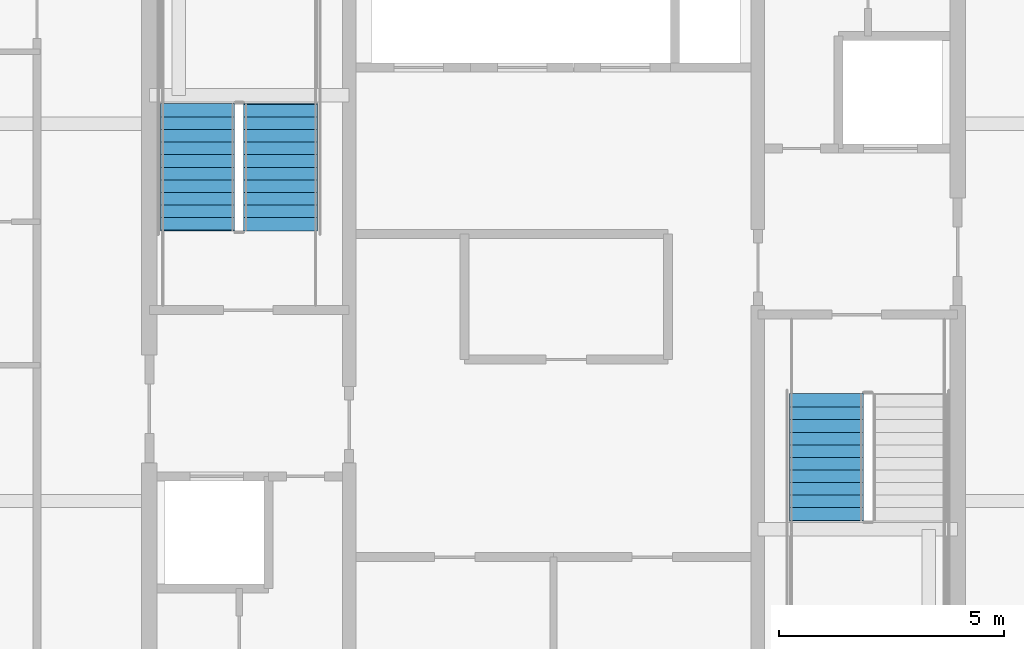
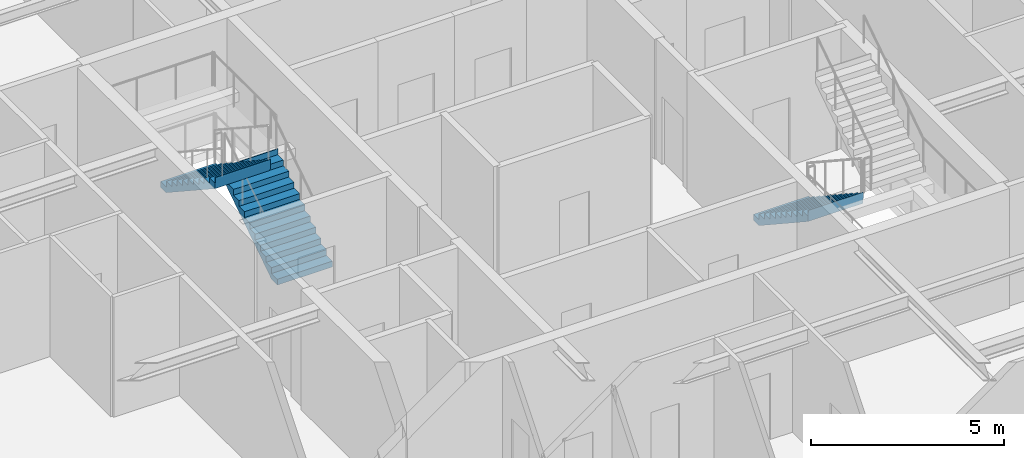
# One storey, part 31 of 37: 3 stair flights, 2 elements without a shape of their own.
"""IFC4 building model written with IfcOpenShell, lengths in metres."""

from ifc_helpers import new_model, si_unit, direction, frame, origin, place, context, subcontext, project, spatial, polygons, material, type_object, element, aggregate, save


model = new_model("IFC4")

# Units and contexts
model_context = context("Model", 3, precision=1e-05, world=origin(), true_north=direction((0.0, 1.0)))
body_context = subcontext(model_context, "Body", "Model", "MODEL_VIEW")
ifc_project = project(units=[si_unit("LENGTHUNIT", "METRE"), si_unit("AREAUNIT", "SQUARE_METRE"), si_unit("VOLUMEUNIT", "CUBIC_METRE"), si_unit("PLANEANGLEUNIT", "RADIAN"), si_unit("MASSUNIT", "GRAM", prefix="KILO")], contexts=[model_context])

# Site, building, storey
site_placement = place(None, origin())
site = spatial("IfcSite", under=ifc_project, at=site_placement, CompositionType="ELEMENT")
building_placement = place(site_placement, origin())
building = spatial("IfcBuilding", under=site, at=building_placement, Name="Serunith Strait Residences", CompositionType="ELEMENT")
storey_placement = place(building_placement, frame((0.0, 0.0, 317.75)))
storey = spatial("IfcBuildingStorey", under=building, at=storey_placement, Name="L79", CompositionType="ELEMENT", Elevation=317.75)

# Stair, stair flights
ifc_material = material(Name="Concrete C50/60", Category="concrete")
stair_type_1 = type_object("IfcStairType", Name="STR-CORE-1", PredefinedType="HALF_TURN_STAIR", material=ifc_material)
stair_1_placement = place(storey_placement, origin())
stair_1 = element("IfcStair", 1, at=stair_1_placement, inside=storey, type_object=stair_type_1, Name="L79 Protected Escape Stair ST-1", PredefinedType="HALF_TURN_STAIR")
stair_flight_type_1 = type_object("IfcStairFlightType", Name="FLT-CORE-1", PredefinedType="STRAIGHT", material=ifc_material)
stair_flight_1_placement = place(storey_placement, frame((26.324951171875, 27.030029296875, 0.0), z_axis=(0.0, 0.0, 1.0), x_axis=(0.0, 1.0, 0.0)))
stair_flight_1 = element("IfcStairFlight", 2, at=stair_flight_1_placement, type_object=stair_flight_type_1, Name="ST-1 flight 1", NumberOfRisers=11, NumberOfTreads=10, PredefinedType="STRAIGHT", RiserHeight=0.184090909, TreadLength=0.28, context=body_context, shape_type="Tessellation", body=[
    polygons([(-0.02001953125, -0.824951171875, 0.0), (-0.02001953125, -0.824951171875, 0.18408203125), (0.280029296875, -0.824951171875, 0.18408203125), (0.280029296875, -0.824951171875, 0.3681640625), (0.56005859375, -0.824951171875, 0.3681640625), (0.56005859375, -0.824951171875, 0.55224609375), (0.840087890625, -0.824951171875, 0.55224609375), (0.840087890625, -0.824951171875, 0.736328125), (1.1201171875, -0.824951171875, 0.736328125), (1.1201171875, -0.824951171875, 0.92041015625), (1.39990234375, -0.824951171875, 0.92041015625), (1.39990234375, -0.824951171875, 1.1044921875), (1.679931640625, -0.824951171875, 1.1044921875), (1.679931640625, -0.824951171875, 1.28857421875), (1.9599609375, -0.824951171875, 1.28857421875), (1.9599609375, -0.824951171875, 1.47265625), (2.239990234375, -0.824951171875, 1.47265625), (2.239990234375, -0.824951171875, 1.65673828125), (2.52001953125, -0.824951171875, 1.65673828125), (2.52001953125, -0.824951171875, 1.8408203125), (2.800048828125, -0.824951171875, 1.8408203125), (2.800048828125, -0.824951171875, 2.02490234375), (2.820068359375, -0.824951171875, 2.02490234375), (2.820068359375, -0.824951171875, 1.965087890625), (2.800048828125, -0.824951171875, 1.66162109375), (0.27294921875, -0.824951171875, 0.0), (-0.02001953125, -0.41259765625, 0.0), (-0.02001953125, -0.41259765625, 0.18408203125), (0.280029296875, -0.41259765625, 0.18408203125), (0.280029296875, -0.41259765625, 0.3681640625), (0.56005859375, -0.41259765625, 0.3681640625), (0.56005859375, -0.41259765625, 0.55224609375), (0.840087890625, -0.41259765625, 0.55224609375), (0.840087890625, -0.41259765625, 0.736328125), (1.1201171875, -0.41259765625, 0.736328125), (1.1201171875, -0.41259765625, 0.92041015625), (1.39990234375, -0.41259765625, 0.92041015625), (1.39990234375, -0.41259765625, 1.1044921875), (1.679931640625, -0.41259765625, 1.1044921875), (1.679931640625, -0.41259765625, 1.28857421875), (1.9599609375, -0.41259765625, 1.28857421875), (1.9599609375, -0.41259765625, 1.47265625), (2.239990234375, -0.41259765625, 1.47265625), (2.239990234375, -0.41259765625, 1.65673828125), (2.52001953125, -0.41259765625, 1.65673828125), (2.52001953125, -0.41259765625, 1.8408203125), (2.800048828125, -0.41259765625, 1.8408203125), (2.800048828125, -0.41259765625, 2.02490234375), (2.820068359375, -0.41259765625, 2.02490234375), (2.820068359375, -0.41259765625, 1.965087890625), (2.800048828125, -0.41259765625, 1.66162109375), (0.27294921875, -0.41259765625, 0.0), (-0.02001953125, 0.0, 0.0), (-0.02001953125, 0.0, 0.18408203125), (0.280029296875, 0.0, 0.18408203125), (0.280029296875, 0.0, 0.3681640625), (0.56005859375, 0.0, 0.3681640625), (0.56005859375, 0.0, 0.55224609375), (0.840087890625, 0.0, 0.55224609375), (0.840087890625, 0.0, 0.736328125), (1.1201171875, 0.0, 0.736328125), (1.1201171875, 0.0, 0.92041015625), (1.39990234375, 0.0, 0.92041015625), (1.39990234375, 0.0, 1.1044921875), (1.679931640625, 0.0, 1.1044921875), (1.679931640625, 0.0, 1.28857421875), (1.9599609375, 0.0, 1.28857421875), (1.9599609375, 0.0, 1.47265625), (2.239990234375, 0.0, 1.47265625), (2.239990234375, 0.0, 1.65673828125), (2.52001953125, 0.0, 1.65673828125), (2.52001953125, 0.0, 1.8408203125), (2.800048828125, 0.0, 1.8408203125), (2.800048828125, 0.0, 2.02490234375), (2.820068359375, 0.0, 2.02490234375), (2.820068359375, 0.0, 1.965087890625), (2.800048828125, 0.0, 1.66162109375), (0.27294921875, 0.0, 0.0), (-0.02001953125, 0.41259765625, 0.0), (-0.02001953125, 0.41259765625, 0.18408203125), (0.280029296875, 0.41259765625, 0.18408203125), (0.280029296875, 0.41259765625, 0.3681640625), (0.56005859375, 0.41259765625, 0.3681640625), (0.56005859375, 0.41259765625, 0.55224609375), (0.840087890625, 0.41259765625, 0.55224609375), (0.840087890625, 0.41259765625, 0.736328125), (1.1201171875, 0.41259765625, 0.736328125), (1.1201171875, 0.41259765625, 0.92041015625), (1.39990234375, 0.41259765625, 0.92041015625), (1.39990234375, 0.41259765625, 1.1044921875), (1.679931640625, 0.41259765625, 1.1044921875), (1.679931640625, 0.41259765625, 1.28857421875), (1.9599609375, 0.41259765625, 1.28857421875), (1.9599609375, 0.41259765625, 1.47265625), (2.239990234375, 0.41259765625, 1.47265625), (2.239990234375, 0.41259765625, 1.65673828125), (2.52001953125, 0.41259765625, 1.65673828125), (2.52001953125, 0.41259765625, 1.8408203125), (2.800048828125, 0.41259765625, 1.8408203125), (2.800048828125, 0.41259765625, 2.02490234375), (2.820068359375, 0.41259765625, 2.02490234375), (2.820068359375, 0.41259765625, 1.965087890625), (2.800048828125, 0.41259765625, 1.66162109375), (0.27294921875, 0.41259765625, 0.0), (-0.02001953125, 0.824951171875, 0.0), (-0.02001953125, 0.824951171875, 0.18408203125), (0.280029296875, 0.824951171875, 0.18408203125), (0.280029296875, 0.824951171875, 0.3681640625), (0.56005859375, 0.824951171875, 0.3681640625), (0.56005859375, 0.824951171875, 0.55224609375), (0.840087890625, 0.824951171875, 0.55224609375), (0.840087890625, 0.824951171875, 0.736328125), (1.1201171875, 0.824951171875, 0.736328125), (1.1201171875, 0.824951171875, 0.92041015625), (1.39990234375, 0.824951171875, 0.92041015625), (1.39990234375, 0.824951171875, 1.1044921875), (1.679931640625, 0.824951171875, 1.1044921875), (1.679931640625, 0.824951171875, 1.28857421875), (1.9599609375, 0.824951171875, 1.28857421875), (1.9599609375, 0.824951171875, 1.47265625), (2.239990234375, 0.824951171875, 1.47265625), (2.239990234375, 0.824951171875, 1.65673828125), (2.52001953125, 0.824951171875, 1.65673828125), (2.52001953125, 0.824951171875, 1.8408203125), (2.800048828125, 0.824951171875, 1.8408203125), (2.800048828125, 0.824951171875, 2.02490234375), (2.820068359375, 0.824951171875, 2.02490234375), (2.820068359375, 0.824951171875, 1.965087890625), (2.800048828125, 0.824951171875, 1.66162109375), (0.27294921875, 0.824951171875, 0.0)], [[[1, 2, 28, 27]], [[2, 3, 29, 28]], [[3, 4, 30, 29]], [[4, 5, 31, 30]], [[5, 6, 32, 31]], [[6, 7, 33, 32]], [[7, 8, 34, 33]], [[8, 9, 35, 34]], [[9, 10, 36, 35]], [[10, 11, 37, 36]], [[11, 12, 38, 37]], [[12, 13, 39, 38]], [[13, 14, 40, 39]], [[14, 15, 41, 40]], [[15, 16, 42, 41]], [[16, 17, 43, 42]], [[17, 18, 44, 43]], [[18, 19, 45, 44]], [[19, 20, 46, 45]], [[20, 21, 47, 46]], [[21, 22, 48, 47]], [[22, 23, 49, 48]], [[23, 24, 50, 49]], [[24, 25, 51, 50]], [[25, 26, 52, 51]], [[26, 1, 27, 52]], [[27, 28, 54, 53]], [[28, 29, 55, 54]], [[29, 30, 56, 55]], [[30, 31, 57, 56]], [[31, 32, 58, 57]], [[32, 33, 59, 58]], [[33, 34, 60, 59]], [[34, 35, 61, 60]], [[35, 36, 62, 61]], [[36, 37, 63, 62]], [[37, 38, 64, 63]], [[38, 39, 65, 64]], [[39, 40, 66, 65]], [[40, 41, 67, 66]], [[41, 42, 68, 67]], [[42, 43, 69, 68]], [[43, 44, 70, 69]], [[44, 45, 71, 70]], [[45, 46, 72, 71]], [[46, 47, 73, 72]], [[47, 48, 74, 73]], [[48, 49, 75, 74]], [[49, 50, 76, 75]], [[50, 51, 77, 76]], [[51, 52, 78, 77]], [[52, 27, 53, 78]], [[53, 54, 80, 79]], [[54, 55, 81, 80]], [[55, 56, 82, 81]], [[56, 57, 83, 82]], [[57, 58, 84, 83]], [[58, 59, 85, 84]], [[59, 60, 86, 85]], [[60, 61, 87, 86]], [[61, 62, 88, 87]], [[62, 63, 89, 88]], [[63, 64, 90, 89]], [[64, 65, 91, 90]], [[65, 66, 92, 91]], [[66, 67, 93, 92]], [[67, 68, 94, 93]], [[68, 69, 95, 94]], [[69, 70, 96, 95]], [[70, 71, 97, 96]], [[71, 72, 98, 97]], [[72, 73, 99, 98]], [[73, 74, 100, 99]], [[74, 75, 101, 100]], [[75, 76, 102, 101]], [[76, 77, 103, 102]], [[77, 78, 104, 103]], [[78, 53, 79, 104]], [[79, 80, 106, 105]], [[80, 81, 107, 106]], [[81, 82, 108, 107]], [[82, 83, 109, 108]], [[83, 84, 110, 109]], [[84, 85, 111, 110]], [[85, 86, 112, 111]], [[86, 87, 113, 112]], [[87, 88, 114, 113]], [[88, 89, 115, 114]], [[89, 90, 116, 115]], [[90, 91, 117, 116]], [[91, 92, 118, 117]], [[92, 93, 119, 118]], [[93, 94, 120, 119]], [[94, 95, 121, 120]], [[95, 96, 122, 121]], [[96, 97, 123, 122]], [[97, 98, 124, 123]], [[98, 99, 125, 124]], [[99, 100, 126, 125]], [[100, 101, 127, 126]], [[101, 102, 128, 127]], [[102, 103, 129, 128]], [[103, 104, 130, 129]], [[104, 79, 105, 130]], [[26, 25, 24, 23, 22, 21, 20, 19, 18, 17, 16, 15, 14, 13, 12, 11, 10, 9, 8, 7, 6, 5, 4, 3, 2, 1]], [[105, 106, 107, 108, 109, 110, 111, 112, 113, 114, 115, 116, 117, 118, 119, 120, 121, 122, 123, 124, 125, 126, 127, 128, 129, 130]]], closed=True),
])
stair_flight_2_placement = place(storey_placement, frame((24.47509765625, 29.830078125, 2.02490234375), z_axis=(0.0, 0.0, 1.0), x_axis=(0.0, -1.0, 0.0)))
stair_flight_2 = element("IfcStairFlight", 3, at=stair_flight_2_placement, type_object=stair_flight_type_1, Name="ST-1 flight 2", NumberOfRisers=11, NumberOfTreads=10, PredefinedType="STRAIGHT", RiserHeight=0.184090909, TreadLength=0.28, context=body_context, shape_type="Tessellation", body=[
    polygons([(-0.02001953125, -0.824951171875, 0.0), (-0.02001953125, -0.824951171875, 0.18408203125), (0.280029296875, -0.824951171875, 0.18408203125), (0.280029296875, -0.824951171875, 0.3681640625), (0.56005859375, -0.824951171875, 0.3681640625), (0.56005859375, -0.824951171875, 0.55224609375), (0.840087890625, -0.824951171875, 0.55224609375), (0.840087890625, -0.824951171875, 0.736328125), (1.1201171875, -0.824951171875, 0.736328125), (1.1201171875, -0.824951171875, 0.92041015625), (1.39990234375, -0.824951171875, 0.92041015625), (1.39990234375, -0.824951171875, 1.1044921875), (1.679931640625, -0.824951171875, 1.1044921875), (1.679931640625, -0.824951171875, 1.28857421875), (1.9599609375, -0.824951171875, 1.28857421875), (1.9599609375, -0.824951171875, 1.47265625), (2.239990234375, -0.824951171875, 1.47265625), (2.239990234375, -0.824951171875, 1.65673828125), (2.52001953125, -0.824951171875, 1.65673828125), (2.52001953125, -0.824951171875, 1.8408203125), (2.800048828125, -0.824951171875, 1.8408203125), (2.800048828125, -0.824951171875, 2.02490234375), (2.820068359375, -0.824951171875, 2.02490234375), (2.820068359375, -0.824951171875, 1.965087890625), (2.800048828125, -0.824951171875, 1.66162109375), (0.27294921875, -0.824951171875, 0.0), (-0.02001953125, -0.41259765625, 0.0), (-0.02001953125, -0.41259765625, 0.18408203125), (0.280029296875, -0.41259765625, 0.18408203125), (0.280029296875, -0.41259765625, 0.3681640625), (0.56005859375, -0.41259765625, 0.3681640625), (0.56005859375, -0.41259765625, 0.55224609375), (0.840087890625, -0.41259765625, 0.55224609375), (0.840087890625, -0.41259765625, 0.736328125), (1.1201171875, -0.41259765625, 0.736328125), (1.1201171875, -0.41259765625, 0.92041015625), (1.39990234375, -0.41259765625, 0.92041015625), (1.39990234375, -0.41259765625, 1.1044921875), (1.679931640625, -0.41259765625, 1.1044921875), (1.679931640625, -0.41259765625, 1.28857421875), (1.9599609375, -0.41259765625, 1.28857421875), (1.9599609375, -0.41259765625, 1.47265625), (2.239990234375, -0.41259765625, 1.47265625), (2.239990234375, -0.41259765625, 1.65673828125), (2.52001953125, -0.41259765625, 1.65673828125), (2.52001953125, -0.41259765625, 1.8408203125), (2.800048828125, -0.41259765625, 1.8408203125), (2.800048828125, -0.41259765625, 2.02490234375), (2.820068359375, -0.41259765625, 2.02490234375), (2.820068359375, -0.41259765625, 1.965087890625), (2.800048828125, -0.41259765625, 1.66162109375), (0.27294921875, -0.41259765625, 0.0), (-0.02001953125, 0.0, 0.0), (-0.02001953125, 0.0, 0.18408203125), (0.280029296875, 0.0, 0.18408203125), (0.280029296875, 0.0, 0.3681640625), (0.56005859375, 0.0, 0.3681640625), (0.56005859375, 0.0, 0.55224609375), (0.840087890625, 0.0, 0.55224609375), (0.840087890625, 0.0, 0.736328125), (1.1201171875, 0.0, 0.736328125), (1.1201171875, 0.0, 0.92041015625), (1.39990234375, 0.0, 0.92041015625), (1.39990234375, 0.0, 1.1044921875), (1.679931640625, 0.0, 1.1044921875), (1.679931640625, 0.0, 1.28857421875), (1.9599609375, 0.0, 1.28857421875), (1.9599609375, 0.0, 1.47265625), (2.239990234375, 0.0, 1.47265625), (2.239990234375, 0.0, 1.65673828125), (2.52001953125, 0.0, 1.65673828125), (2.52001953125, 0.0, 1.8408203125), (2.800048828125, 0.0, 1.8408203125), (2.800048828125, 0.0, 2.02490234375), (2.820068359375, 0.0, 2.02490234375), (2.820068359375, 0.0, 1.965087890625), (2.800048828125, 0.0, 1.66162109375), (0.27294921875, 0.0, 0.0), (-0.02001953125, 0.41259765625, 0.0), (-0.02001953125, 0.41259765625, 0.18408203125), (0.280029296875, 0.41259765625, 0.18408203125), (0.280029296875, 0.41259765625, 0.3681640625), (0.56005859375, 0.41259765625, 0.3681640625), (0.56005859375, 0.41259765625, 0.55224609375), (0.840087890625, 0.41259765625, 0.55224609375), (0.840087890625, 0.41259765625, 0.736328125), (1.1201171875, 0.41259765625, 0.736328125), (1.1201171875, 0.41259765625, 0.92041015625), (1.39990234375, 0.41259765625, 0.92041015625), (1.39990234375, 0.41259765625, 1.1044921875), (1.679931640625, 0.41259765625, 1.1044921875), (1.679931640625, 0.41259765625, 1.28857421875), (1.9599609375, 0.41259765625, 1.28857421875), (1.9599609375, 0.41259765625, 1.47265625), (2.239990234375, 0.41259765625, 1.47265625), (2.239990234375, 0.41259765625, 1.65673828125), (2.52001953125, 0.41259765625, 1.65673828125), (2.52001953125, 0.41259765625, 1.8408203125), (2.800048828125, 0.41259765625, 1.8408203125), (2.800048828125, 0.41259765625, 2.02490234375), (2.820068359375, 0.41259765625, 2.02490234375), (2.820068359375, 0.41259765625, 1.965087890625), (2.800048828125, 0.41259765625, 1.66162109375), (0.27294921875, 0.41259765625, 0.0), (-0.02001953125, 0.824951171875, 0.0), (-0.02001953125, 0.824951171875, 0.18408203125), (0.280029296875, 0.824951171875, 0.18408203125), (0.280029296875, 0.824951171875, 0.3681640625), (0.56005859375, 0.824951171875, 0.3681640625), (0.56005859375, 0.824951171875, 0.55224609375), (0.840087890625, 0.824951171875, 0.55224609375), (0.840087890625, 0.824951171875, 0.736328125), (1.1201171875, 0.824951171875, 0.736328125), (1.1201171875, 0.824951171875, 0.92041015625), (1.39990234375, 0.824951171875, 0.92041015625), (1.39990234375, 0.824951171875, 1.1044921875), (1.679931640625, 0.824951171875, 1.1044921875), (1.679931640625, 0.824951171875, 1.28857421875), (1.9599609375, 0.824951171875, 1.28857421875), (1.9599609375, 0.824951171875, 1.47265625), (2.239990234375, 0.824951171875, 1.47265625), (2.239990234375, 0.824951171875, 1.65673828125), (2.52001953125, 0.824951171875, 1.65673828125), (2.52001953125, 0.824951171875, 1.8408203125), (2.800048828125, 0.824951171875, 1.8408203125), (2.800048828125, 0.824951171875, 2.02490234375), (2.820068359375, 0.824951171875, 2.02490234375), (2.820068359375, 0.824951171875, 1.965087890625), (2.800048828125, 0.824951171875, 1.66162109375), (0.27294921875, 0.824951171875, 0.0)], [[[1, 2, 28, 27]], [[2, 3, 29, 28]], [[3, 4, 30, 29]], [[4, 5, 31, 30]], [[5, 6, 32, 31]], [[6, 7, 33, 32]], [[7, 8, 34, 33]], [[8, 9, 35, 34]], [[9, 10, 36, 35]], [[10, 11, 37, 36]], [[11, 12, 38, 37]], [[12, 13, 39, 38]], [[13, 14, 40, 39]], [[14, 15, 41, 40]], [[15, 16, 42, 41]], [[16, 17, 43, 42]], [[17, 18, 44, 43]], [[18, 19, 45, 44]], [[19, 20, 46, 45]], [[20, 21, 47, 46]], [[21, 22, 48, 47]], [[22, 23, 49, 48]], [[23, 24, 50, 49]], [[24, 25, 51, 50]], [[25, 26, 52, 51]], [[26, 1, 27, 52]], [[27, 28, 54, 53]], [[28, 29, 55, 54]], [[29, 30, 56, 55]], [[30, 31, 57, 56]], [[31, 32, 58, 57]], [[32, 33, 59, 58]], [[33, 34, 60, 59]], [[34, 35, 61, 60]], [[35, 36, 62, 61]], [[36, 37, 63, 62]], [[37, 38, 64, 63]], [[38, 39, 65, 64]], [[39, 40, 66, 65]], [[40, 41, 67, 66]], [[41, 42, 68, 67]], [[42, 43, 69, 68]], [[43, 44, 70, 69]], [[44, 45, 71, 70]], [[45, 46, 72, 71]], [[46, 47, 73, 72]], [[47, 48, 74, 73]], [[48, 49, 75, 74]], [[49, 50, 76, 75]], [[50, 51, 77, 76]], [[51, 52, 78, 77]], [[52, 27, 53, 78]], [[53, 54, 80, 79]], [[54, 55, 81, 80]], [[55, 56, 82, 81]], [[56, 57, 83, 82]], [[57, 58, 84, 83]], [[58, 59, 85, 84]], [[59, 60, 86, 85]], [[60, 61, 87, 86]], [[61, 62, 88, 87]], [[62, 63, 89, 88]], [[63, 64, 90, 89]], [[64, 65, 91, 90]], [[65, 66, 92, 91]], [[66, 67, 93, 92]], [[67, 68, 94, 93]], [[68, 69, 95, 94]], [[69, 70, 96, 95]], [[70, 71, 97, 96]], [[71, 72, 98, 97]], [[72, 73, 99, 98]], [[73, 74, 100, 99]], [[74, 75, 101, 100]], [[75, 76, 102, 101]], [[76, 77, 103, 102]], [[77, 78, 104, 103]], [[78, 53, 79, 104]], [[79, 80, 106, 105]], [[80, 81, 107, 106]], [[81, 82, 108, 107]], [[82, 83, 109, 108]], [[83, 84, 110, 109]], [[84, 85, 111, 110]], [[85, 86, 112, 111]], [[86, 87, 113, 112]], [[87, 88, 114, 113]], [[88, 89, 115, 114]], [[89, 90, 116, 115]], [[90, 91, 117, 116]], [[91, 92, 118, 117]], [[92, 93, 119, 118]], [[93, 94, 120, 119]], [[94, 95, 121, 120]], [[95, 96, 122, 121]], [[96, 97, 123, 122]], [[97, 98, 124, 123]], [[98, 99, 125, 124]], [[99, 100, 126, 125]], [[100, 101, 127, 126]], [[101, 102, 128, 127]], [[102, 103, 129, 128]], [[103, 104, 130, 129]], [[104, 79, 105, 130]], [[26, 25, 24, 23, 22, 21, 20, 19, 18, 17, 16, 15, 14, 13, 12, 11, 10, 9, 8, 7, 6, 5, 4, 3, 2, 1]], [[105, 106, 107, 108, 109, 110, 111, 112, 113, 114, 115, 116, 117, 118, 119, 120, 121, 122, 123, 124, 125, 126, 127, 128, 129, 130]]], closed=True),
])
aggregate(stair_1, [stair_flight_1, stair_flight_2])

# Stair, stair flight
stair_type_2 = type_object("IfcStairType", Name="STR-CORE-2", PredefinedType="HALF_TURN_STAIR", material=ifc_material)
stair_2_placement = place(storey_placement, origin())
stair_2 = element("IfcStair", 4, at=stair_2_placement, inside=storey, type_object=stair_type_2, Name="L79 Protected Escape Stair ST-2", PredefinedType="HALF_TURN_STAIR")
stair_flight_type_2 = type_object("IfcStairFlightType", Name="FLT-CORE-2", PredefinedType="STRAIGHT", material=ifc_material)
stair_flight_3_placement = place(storey_placement, frame((38.47509765625, 23.3701171875, 0.0), z_axis=(0.0, 0.0, 1.0), x_axis=(0.0, -1.0, 0.0)))
stair_flight_3 = element("IfcStairFlight", 5, at=stair_flight_3_placement, type_object=stair_flight_type_2, Name="ST-2 flight 1", NumberOfRisers=11, NumberOfTreads=10, PredefinedType="STRAIGHT", RiserHeight=0.184090909, TreadLength=0.28, context=body_context, shape_type="Tessellation", body=[
    polygons([(-0.02001953125, -0.824951171875, 0.0), (-0.02001953125, -0.824951171875, 0.18408203125), (0.280029296875, -0.824951171875, 0.18408203125), (0.280029296875, -0.824951171875, 0.3681640625), (0.56005859375, -0.824951171875, 0.3681640625), (0.56005859375, -0.824951171875, 0.55224609375), (0.840087890625, -0.824951171875, 0.55224609375), (0.840087890625, -0.824951171875, 0.736328125), (1.1201171875, -0.824951171875, 0.736328125), (1.1201171875, -0.824951171875, 0.92041015625), (1.39990234375, -0.824951171875, 0.92041015625), (1.39990234375, -0.824951171875, 1.1044921875), (1.679931640625, -0.824951171875, 1.1044921875), (1.679931640625, -0.824951171875, 1.28857421875), (1.9599609375, -0.824951171875, 1.28857421875), (1.9599609375, -0.824951171875, 1.47265625), (2.239990234375, -0.824951171875, 1.47265625), (2.239990234375, -0.824951171875, 1.65673828125), (2.52001953125, -0.824951171875, 1.65673828125), (2.52001953125, -0.824951171875, 1.8408203125), (2.800048828125, -0.824951171875, 1.8408203125), (2.800048828125, -0.824951171875, 2.02490234375), (2.820068359375, -0.824951171875, 2.02490234375), (2.820068359375, -0.824951171875, 1.965087890625), (2.800048828125, -0.824951171875, 1.66162109375), (0.27294921875, -0.824951171875, 0.0), (-0.02001953125, -0.41259765625, 0.0), (-0.02001953125, -0.41259765625, 0.18408203125), (0.280029296875, -0.41259765625, 0.18408203125), (0.280029296875, -0.41259765625, 0.3681640625), (0.56005859375, -0.41259765625, 0.3681640625), (0.56005859375, -0.41259765625, 0.55224609375), (0.840087890625, -0.41259765625, 0.55224609375), (0.840087890625, -0.41259765625, 0.736328125), (1.1201171875, -0.41259765625, 0.736328125), (1.1201171875, -0.41259765625, 0.92041015625), (1.39990234375, -0.41259765625, 0.92041015625), (1.39990234375, -0.41259765625, 1.1044921875), (1.679931640625, -0.41259765625, 1.1044921875), (1.679931640625, -0.41259765625, 1.28857421875), (1.9599609375, -0.41259765625, 1.28857421875), (1.9599609375, -0.41259765625, 1.47265625), (2.239990234375, -0.41259765625, 1.47265625), (2.239990234375, -0.41259765625, 1.65673828125), (2.52001953125, -0.41259765625, 1.65673828125), (2.52001953125, -0.41259765625, 1.8408203125), (2.800048828125, -0.41259765625, 1.8408203125), (2.800048828125, -0.41259765625, 2.02490234375), (2.820068359375, -0.41259765625, 2.02490234375), (2.820068359375, -0.41259765625, 1.965087890625), (2.800048828125, -0.41259765625, 1.66162109375), (0.27294921875, -0.41259765625, 0.0), (-0.02001953125, 0.0, 0.0), (-0.02001953125, 0.0, 0.18408203125), (0.280029296875, 0.0, 0.18408203125), (0.280029296875, 0.0, 0.3681640625), (0.56005859375, 0.0, 0.3681640625), (0.56005859375, 0.0, 0.55224609375), (0.840087890625, 0.0, 0.55224609375), (0.840087890625, 0.0, 0.736328125), (1.1201171875, 0.0, 0.736328125), (1.1201171875, 0.0, 0.92041015625), (1.39990234375, 0.0, 0.92041015625), (1.39990234375, 0.0, 1.1044921875), (1.679931640625, 0.0, 1.1044921875), (1.679931640625, 0.0, 1.28857421875), (1.9599609375, 0.0, 1.28857421875), (1.9599609375, 0.0, 1.47265625), (2.239990234375, 0.0, 1.47265625), (2.239990234375, 0.0, 1.65673828125), (2.52001953125, 0.0, 1.65673828125), (2.52001953125, 0.0, 1.8408203125), (2.800048828125, 0.0, 1.8408203125), (2.800048828125, 0.0, 2.02490234375), (2.820068359375, 0.0, 2.02490234375), (2.820068359375, 0.0, 1.965087890625), (2.800048828125, 0.0, 1.66162109375), (0.27294921875, 0.0, 0.0), (-0.02001953125, 0.41259765625, 0.0), (-0.02001953125, 0.41259765625, 0.18408203125), (0.280029296875, 0.41259765625, 0.18408203125), (0.280029296875, 0.41259765625, 0.3681640625), (0.56005859375, 0.41259765625, 0.3681640625), (0.56005859375, 0.41259765625, 0.55224609375), (0.840087890625, 0.41259765625, 0.55224609375), (0.840087890625, 0.41259765625, 0.736328125), (1.1201171875, 0.41259765625, 0.736328125), (1.1201171875, 0.41259765625, 0.92041015625), (1.39990234375, 0.41259765625, 0.92041015625), (1.39990234375, 0.41259765625, 1.1044921875), (1.679931640625, 0.41259765625, 1.1044921875), (1.679931640625, 0.41259765625, 1.28857421875), (1.9599609375, 0.41259765625, 1.28857421875), (1.9599609375, 0.41259765625, 1.47265625), (2.239990234375, 0.41259765625, 1.47265625), (2.239990234375, 0.41259765625, 1.65673828125), (2.52001953125, 0.41259765625, 1.65673828125), (2.52001953125, 0.41259765625, 1.8408203125), (2.800048828125, 0.41259765625, 1.8408203125), (2.800048828125, 0.41259765625, 2.02490234375), (2.820068359375, 0.41259765625, 2.02490234375), (2.820068359375, 0.41259765625, 1.965087890625), (2.800048828125, 0.41259765625, 1.66162109375), (0.27294921875, 0.41259765625, 0.0), (-0.02001953125, 0.824951171875, 0.0), (-0.02001953125, 0.824951171875, 0.18408203125), (0.280029296875, 0.824951171875, 0.18408203125), (0.280029296875, 0.824951171875, 0.3681640625), (0.56005859375, 0.824951171875, 0.3681640625), (0.56005859375, 0.824951171875, 0.55224609375), (0.840087890625, 0.824951171875, 0.55224609375), (0.840087890625, 0.824951171875, 0.736328125), (1.1201171875, 0.824951171875, 0.736328125), (1.1201171875, 0.824951171875, 0.92041015625), (1.39990234375, 0.824951171875, 0.92041015625), (1.39990234375, 0.824951171875, 1.1044921875), (1.679931640625, 0.824951171875, 1.1044921875), (1.679931640625, 0.824951171875, 1.28857421875), (1.9599609375, 0.824951171875, 1.28857421875), (1.9599609375, 0.824951171875, 1.47265625), (2.239990234375, 0.824951171875, 1.47265625), (2.239990234375, 0.824951171875, 1.65673828125), (2.52001953125, 0.824951171875, 1.65673828125), (2.52001953125, 0.824951171875, 1.8408203125), (2.800048828125, 0.824951171875, 1.8408203125), (2.800048828125, 0.824951171875, 2.02490234375), (2.820068359375, 0.824951171875, 2.02490234375), (2.820068359375, 0.824951171875, 1.965087890625), (2.800048828125, 0.824951171875, 1.66162109375), (0.27294921875, 0.824951171875, 0.0)], [[[1, 2, 28, 27]], [[2, 3, 29, 28]], [[3, 4, 30, 29]], [[4, 5, 31, 30]], [[5, 6, 32, 31]], [[6, 7, 33, 32]], [[7, 8, 34, 33]], [[8, 9, 35, 34]], [[9, 10, 36, 35]], [[10, 11, 37, 36]], [[11, 12, 38, 37]], [[12, 13, 39, 38]], [[13, 14, 40, 39]], [[14, 15, 41, 40]], [[15, 16, 42, 41]], [[16, 17, 43, 42]], [[17, 18, 44, 43]], [[18, 19, 45, 44]], [[19, 20, 46, 45]], [[20, 21, 47, 46]], [[21, 22, 48, 47]], [[22, 23, 49, 48]], [[23, 24, 50, 49]], [[24, 25, 51, 50]], [[25, 26, 52, 51]], [[26, 1, 27, 52]], [[27, 28, 54, 53]], [[28, 29, 55, 54]], [[29, 30, 56, 55]], [[30, 31, 57, 56]], [[31, 32, 58, 57]], [[32, 33, 59, 58]], [[33, 34, 60, 59]], [[34, 35, 61, 60]], [[35, 36, 62, 61]], [[36, 37, 63, 62]], [[37, 38, 64, 63]], [[38, 39, 65, 64]], [[39, 40, 66, 65]], [[40, 41, 67, 66]], [[41, 42, 68, 67]], [[42, 43, 69, 68]], [[43, 44, 70, 69]], [[44, 45, 71, 70]], [[45, 46, 72, 71]], [[46, 47, 73, 72]], [[47, 48, 74, 73]], [[48, 49, 75, 74]], [[49, 50, 76, 75]], [[50, 51, 77, 76]], [[51, 52, 78, 77]], [[52, 27, 53, 78]], [[53, 54, 80, 79]], [[54, 55, 81, 80]], [[55, 56, 82, 81]], [[56, 57, 83, 82]], [[57, 58, 84, 83]], [[58, 59, 85, 84]], [[59, 60, 86, 85]], [[60, 61, 87, 86]], [[61, 62, 88, 87]], [[62, 63, 89, 88]], [[63, 64, 90, 89]], [[64, 65, 91, 90]], [[65, 66, 92, 91]], [[66, 67, 93, 92]], [[67, 68, 94, 93]], [[68, 69, 95, 94]], [[69, 70, 96, 95]], [[70, 71, 97, 96]], [[71, 72, 98, 97]], [[72, 73, 99, 98]], [[73, 74, 100, 99]], [[74, 75, 101, 100]], [[75, 76, 102, 101]], [[76, 77, 103, 102]], [[77, 78, 104, 103]], [[78, 53, 79, 104]], [[79, 80, 106, 105]], [[80, 81, 107, 106]], [[81, 82, 108, 107]], [[82, 83, 109, 108]], [[83, 84, 110, 109]], [[84, 85, 111, 110]], [[85, 86, 112, 111]], [[86, 87, 113, 112]], [[87, 88, 114, 113]], [[88, 89, 115, 114]], [[89, 90, 116, 115]], [[90, 91, 117, 116]], [[91, 92, 118, 117]], [[92, 93, 119, 118]], [[93, 94, 120, 119]], [[94, 95, 121, 120]], [[95, 96, 122, 121]], [[96, 97, 123, 122]], [[97, 98, 124, 123]], [[98, 99, 125, 124]], [[99, 100, 126, 125]], [[100, 101, 127, 126]], [[101, 102, 128, 127]], [[102, 103, 129, 128]], [[103, 104, 130, 129]], [[104, 79, 105, 130]], [[26, 25, 24, 23, 22, 21, 20, 19, 18, 17, 16, 15, 14, 13, 12, 11, 10, 9, 8, 7, 6, 5, 4, 3, 2, 1]], [[105, 106, 107, 108, 109, 110, 111, 112, 113, 114, 115, 116, 117, 118, 119, 120, 121, 122, 123, 124, 125, 126, 127, 128, 129, 130]]], closed=True),
])
aggregate(stair_2, [stair_flight_3])

save(model, "model.ifc")
